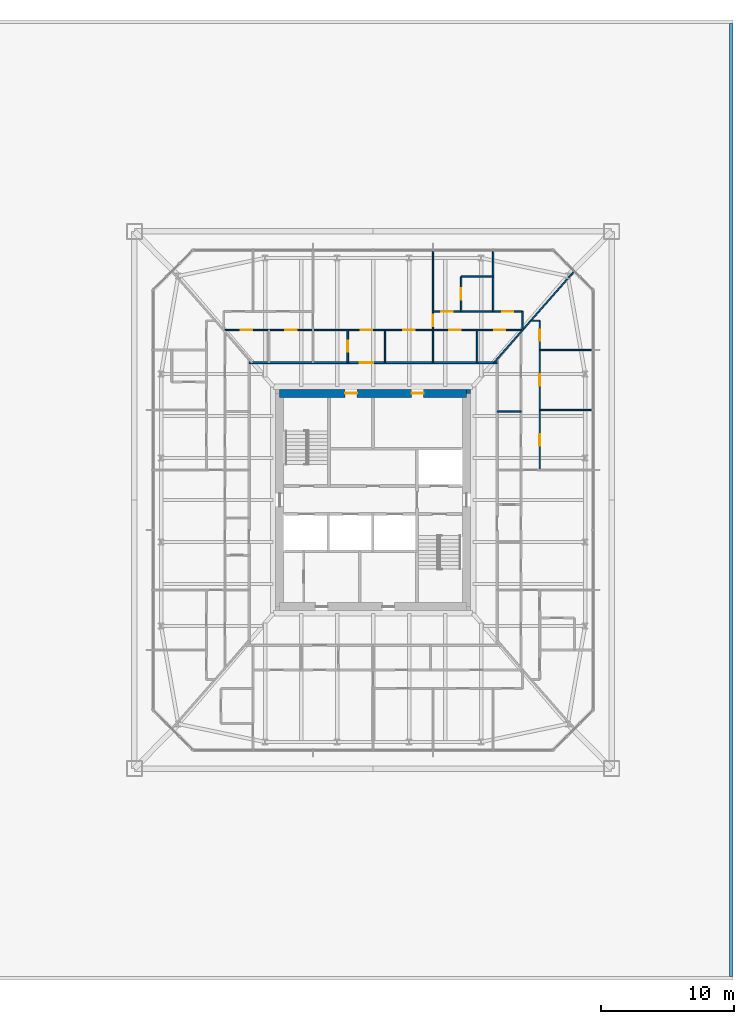
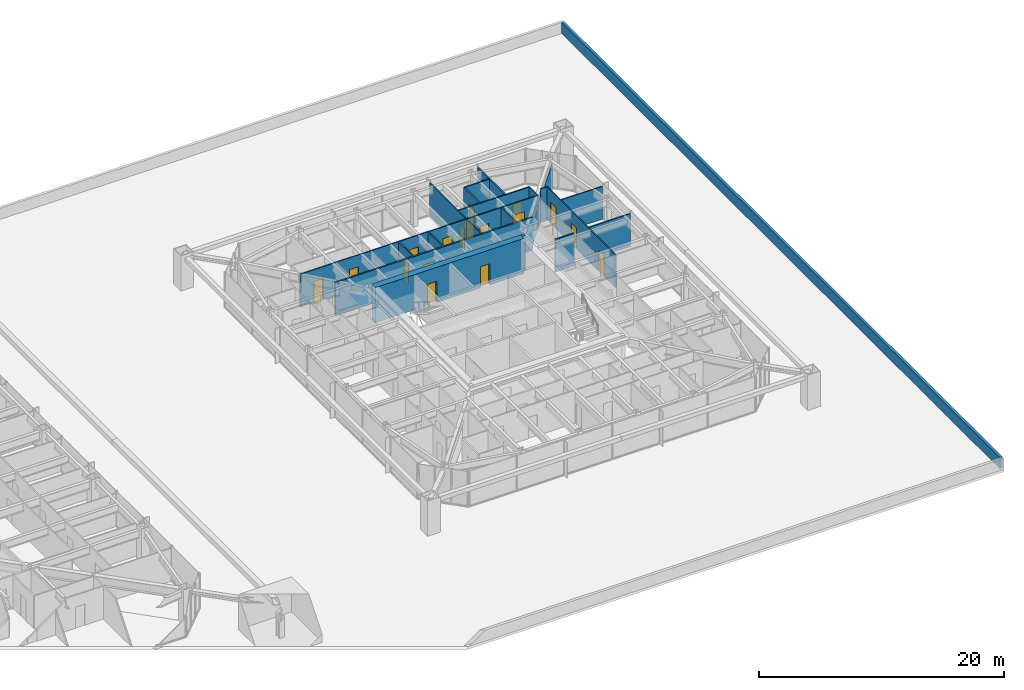
# One storey, part 25 of 31: 21 walls, 17 doors, 17 openings.
"""IFC4 building model written with IfcOpenShell, lengths in metres."""

from ifc_helpers import new_model, si_unit, direction, frame, frame_2d, origin, place, context, subcontext, project, spatial, rectangle, extrude, material, layer, layer_set, type_object, element, fill, save


model = new_model("IFC4")

# Units and contexts
model_context = context("Model", 3, precision=1e-05, world=origin(), true_north=direction((0.0, 1.0)))
body_context = subcontext(model_context, "Body", "Model", "MODEL_VIEW")
ifc_project = project(units=[si_unit("LENGTHUNIT", "METRE"), si_unit("AREAUNIT", "SQUARE_METRE"), si_unit("VOLUMEUNIT", "CUBIC_METRE"), si_unit("PLANEANGLEUNIT", "RADIAN"), si_unit("MASSUNIT", "GRAM", prefix="KILO")], contexts=[model_context])

# Site, building, storey
site_placement = place(None, origin())
site = spatial("IfcSite", under=ifc_project, at=site_placement, CompositionType="ELEMENT")
building_placement = place(site_placement, origin())
building = spatial("IfcBuilding", under=site, at=building_placement, Name="Iwan Alto Co-Living Towers", CompositionType="ELEMENT")
storey_placement = place(building_placement, frame((0.0, 0.0, 15.0)))
storey = spatial("IfcBuildingStorey", under=building, at=storey_placement, Name="L03", CompositionType="ELEMENT", Elevation=15.0)

# Wall, opening, door
ifc_material_1 = material(Name="Gypsum board")
ifc_layer_1 = layer(ifc_material_1, 0.02490234375, Name="Board", Category="Finish")
ifc_material_2 = material(Name="Steel ASTM A1003 ST33H cold-formed studs", Category="steel")
ifc_layer_2 = layer(ifc_material_2, 0.10009765625, Name="Studs", Category="Framing")
ifc_layer_3 = layer(ifc_material_1, 0.02490234375, Name="Board", Category="Finish")
ifc_layer_set_1 = layer_set([ifc_layer_1, ifc_layer_2, ifc_layer_3], Name="CORRIDOR WALL 150")
wall_type_1 = type_object("IfcWallType", Name="CORRIDOR WALL 150", PredefinedType="PARTITIONING", material=ifc_layer_set_1)
wall_1_placement = place(storey_placement, frame((53.699951171875, 10.300048828125, 0.0), z_axis=(0.0, 0.0, 1.0), x_axis=(1.0, 0.0, 0.0)))
wall_1 = element("IfcWall", 1, at=wall_1_placement, inside=storey, type_object=wall_type_1, Name="Partition L03", PredefinedType="PARTITIONING", context=body_context, shape_type="SweptSolid", body=[
    extrude(rectangle(XDim=18.60009765625, YDim=0.14990234375, at=frame_2d((9.300048828125, 0.0))), origin(), (0.0, 0.0, 1.0), 3.27001953125),
])
opening_1_placement = place(wall_1_placement, frame((8.300048828125, 0.0, 0.0)))
opening_1 = element("IfcOpeningElement", 2, at=opening_1_placement, cuts=wall_1, Name="Opening D3", PredefinedType="OPENING", context=body_context, shape_type="SweptSolid", body=[
    extrude(rectangle(XDim=1.0, YDim=2.10009765625, at=frame_2d((0.5, 1.050048828125))), frame((0.0, 0.0849609375, 0.0), z_axis=(0.0, -1.0, 0.0), x_axis=(1.0, 0.0, 0.0)), (0.0, 0.0, 1.0), 0.169921875),
])
ifc_material_3 = material(Name="Steel frame with timber leaf", Category="steel")
door_type_1 = type_object("IfcDoorType", Name="FLAT ENTRANCE DOOR FD30S 1000X2100", OperationType="SINGLE_SWING_LEFT", PredefinedType="DOOR", material=ifc_material_3)
door_1_placement = place(opening_1_placement, origin())
door_1 = element("IfcDoor", 3, at=door_1_placement, inside=storey, type_object=door_type_1, Name="Apartment foyer door L03", OperationType="SINGLE_SWING_LEFT", OverallHeight=2.10009765625, OverallWidth=1.0, PredefinedType="DOOR", context=body_context, shape_type="SweptSolid", body=[
    extrude(rectangle(XDim=1.0, YDim=2.10009765625, at=frame_2d((0.5, 1.050048828125))), frame((0.0, 0.02490234375, 0.0), z_axis=(0.0, -1.0, 0.0), x_axis=(1.0, 0.0, 0.0)), (0.0, 0.0, 1.0), 0.050048828125),
])
fill(opening_1, door_1)

# Walls
ifc_material_4 = material(Name="Fired clay brick masonry", Category="masonry")
ifc_layer_4 = layer(ifc_material_4, 0.25)
ifc_layer_set_2 = layer_set([ifc_layer_4], Name="PARAPET WALL 250")
wall_type_2 = type_object("IfcWallType", Name="PARAPET WALL 250", PredefinedType="PARAPET", material=ifc_layer_set_2)
wall_2_placement = place(storey_placement, frame((89.875, -35.75, 0.0), z_axis=(0.0, 0.0, 1.0), x_axis=(0.0, 1.0, 0.0)))
element("IfcWall", 4, at=wall_2_placement, inside=storey, type_object=wall_type_2, Name="Podium parapet E", PredefinedType="PARAPET", context=body_context, shape_type="SweptSolid", body=[
    extrude(rectangle(XDim=71.5, YDim=0.25, at=frame_2d((35.75, 0.0))), origin(), (0.0, 0.0, 1.0), 1.10009765625),
])
ifc_layer_5 = layer(ifc_material_1, 0.012451171875, Name="Board", Category="Finish")
ifc_layer_6 = layer(ifc_material_2, 0.074951171875, Name="Studs", Category="Framing")
ifc_layer_7 = layer(ifc_material_1, 0.012451171875, Name="Board", Category="Finish")
ifc_layer_set_3 = layer_set([ifc_layer_5, ifc_layer_6, ifc_layer_7], Name="PARTITION 100")
wall_type_3 = type_object("IfcWallType", Name="PARTITION 100", PredefinedType="PARTITIONING", material=ifc_layer_set_3)
for number, where, z_axis, x_axis, name in (
    (5, (75.5, 6.75, 0.0), (0.0, 0.0, 1.0), (1.0, 0.0, 0.0), "Partition L03"),
    (6, (75.5, 11.25, 0.0), (0.0, 0.0, 1.0), (1.0, 0.0, 0.0), "Partition L03"),
):
    element("IfcWall", number, at=place(storey_placement, frame(where, z_axis=z_axis, x_axis=x_axis)), inside=storey, type_object=wall_type_3, Name=name, PredefinedType="PARTITIONING", context=body_context, shape_type="SweptSolid", body=[
        extrude(rectangle(XDim=3.93994140625, YDim=0.10009765625, at=frame_2d((1.969970703125, 0.0))), origin(), (0.0, 0.0, 1.0), 3.27001953125),
    ])

# Wall, openings, doors
wall_3_placement = place(storey_placement, frame((51.800048828125, 12.75, 0.0), z_axis=(0.0, 0.0, 1.0), x_axis=(1.0, 0.0, 0.0)))
wall_3 = element("IfcWall", 7, at=wall_3_placement, inside=storey, type_object=wall_type_3, Name="Partition L03", PredefinedType="PARTITIONING", context=body_context, shape_type="SweptSolid", body=[
    extrude(rectangle(XDim=22.39990234375, YDim=0.10009765625, at=frame_2d((11.199951171875, 0.0))), origin(), (0.0, 0.0, 1.0), 3.27001953125),
])
opening_2_placement = place(wall_3_placement, frame((13.47509765625, 0.0, 0.0)))
opening_2 = element("IfcOpeningElement", 8, at=opening_2_placement, cuts=wall_3, Name="Opening D2", PredefinedType="OPENING", context=body_context, shape_type="SweptSolid", body=[
    extrude(rectangle(XDim=0.85009765625, YDim=2.10009765625, at=frame_2d((0.425048828125, 1.050048828125))), frame((0.0, 0.06005859375, 0.0), z_axis=(0.0, -1.0, 0.0), x_axis=(1.0, 0.0, 0.0)), (0.0, 0.0, 1.0), 0.1201171875),
])
opening_3_placement = place(wall_3_placement, frame((10.27490234375, 0.0, 0.0)))
opening_3 = element("IfcOpeningElement", 9, at=opening_3_placement, cuts=wall_3, Name="Opening D2", PredefinedType="OPENING", context=body_context, shape_type="SweptSolid", body=[
    extrude(rectangle(XDim=0.85009765625, YDim=2.10009765625, at=frame_2d((0.425048828125, 1.050048828125))), frame((0.0, 0.06005859375, 0.0), z_axis=(0.0, -1.0, 0.0), x_axis=(1.0, 0.0, 0.0)), (0.0, 0.0, 1.0), 0.1201171875),
])
opening_4_placement = place(wall_3_placement, frame((16.925048828125, 0.0, 0.0)))
opening_4 = element("IfcOpeningElement", 10, at=opening_4_placement, cuts=wall_3, Name="Opening D2", PredefinedType="OPENING", context=body_context, shape_type="SweptSolid", body=[
    extrude(rectangle(XDim=0.85009765625, YDim=2.10009765625, at=frame_2d((0.425048828125, 1.050048828125))), frame((0.0, 0.06005859375, 0.0), z_axis=(0.0, -1.0, 0.0), x_axis=(1.0, 0.0, 0.0)), (0.0, 0.0, 1.0), 0.1201171875),
])
opening_5_placement = place(wall_3_placement, frame((20.27490234375, 0.0, 0.0)))
opening_5 = element("IfcOpeningElement", 11, at=opening_5_placement, cuts=wall_3, Name="Opening D2", PredefinedType="OPENING", context=body_context, shape_type="SweptSolid", body=[
    extrude(rectangle(XDim=0.85009765625, YDim=2.10009765625, at=frame_2d((0.425048828125, 1.050048828125))), frame((0.0, 0.06005859375, 0.0), z_axis=(0.0, -1.0, 0.0), x_axis=(1.0, 0.0, 0.0)), (0.0, 0.0, 1.0), 0.1201171875),
])
opening_6_placement = place(wall_3_placement, frame((4.625, 0.0, 0.0)))
opening_6 = element("IfcOpeningElement", 12, at=opening_6_placement, cuts=wall_3, Name="Opening D2", PredefinedType="OPENING", context=body_context, shape_type="SweptSolid", body=[
    extrude(rectangle(XDim=0.85009765625, YDim=2.10009765625, at=frame_2d((0.425048828125, 1.050048828125))), frame((0.0, 0.06005859375, 0.0), z_axis=(0.0, -1.0, 0.0), x_axis=(1.0, 0.0, 0.0)), (0.0, 0.0, 1.0), 0.1201171875),
])
opening_7_placement = place(wall_3_placement, frame((1.27490234375, 0.0, 0.0)))
opening_7 = element("IfcOpeningElement", 13, at=opening_7_placement, cuts=wall_3, Name="Opening D2", PredefinedType="OPENING", context=body_context, shape_type="SweptSolid", body=[
    extrude(rectangle(XDim=0.85009765625, YDim=2.10009765625, at=frame_2d((0.425048828125, 1.050048828125))), frame((0.0, 0.06005859375, 0.0), z_axis=(0.0, -1.0, 0.0), x_axis=(1.0, 0.0, 0.0)), (0.0, 0.0, 1.0), 0.1201171875),
])
ifc_material_5 = material(Name="Timber leaf in steel frame", Category="steel")
door_type_2 = type_object("IfcDoorType", Name="ROOM DOOR 850X2100", OperationType="SINGLE_SWING_LEFT", PredefinedType="DOOR", material=ifc_material_5)
door_2_placement = place(opening_2_placement, origin())
door_2 = element("IfcDoor", 14, at=door_2_placement, inside=storey, type_object=door_type_2, Name="Kitchen door L03", OperationType="SINGLE_SWING_RIGHT", OverallHeight=2.10009765625, OverallWidth=0.85009765625, PredefinedType="DOOR", context=body_context, shape_type="SweptSolid", body=[
    extrude(rectangle(XDim=0.85009765625, YDim=2.10009765625, at=frame_2d((0.425048828125, 1.050048828125))), frame((0.0, 0.02490234375, 0.0), z_axis=(0.0, -1.0, 0.0), x_axis=(1.0, 0.0, 0.0)), (0.0, 0.0, 1.0), 0.050048828125),
])
fill(opening_2, door_2)
door_3_placement = place(opening_3_placement, origin())
door_3 = element("IfcDoor", 15, at=door_3_placement, inside=storey, type_object=door_type_2, Name="Apartment foyer door L03", OperationType="SINGLE_SWING_LEFT", OverallHeight=2.10009765625, OverallWidth=0.85009765625, PredefinedType="DOOR", context=body_context, shape_type="SweptSolid", body=[
    extrude(rectangle(XDim=0.85009765625, YDim=2.10009765625, at=frame_2d((0.425048828125, 1.050048828125))), frame((0.0, 0.02490234375, 0.0), z_axis=(0.0, -1.0, 0.0), x_axis=(1.0, 0.0, 0.0)), (0.0, 0.0, 1.0), 0.050048828125),
])
fill(opening_3, door_3)
door_4_placement = place(opening_4_placement, frame((0.85009765625, 0.0, 0.0), z_axis=(0.0, 0.0, 1.0), x_axis=(-1.0, 0.0, 0.0)))
door_4 = element("IfcDoor", 16, at=door_4_placement, inside=storey, type_object=door_type_2, Name="Utility room door L03", OperationType="SINGLE_SWING_RIGHT", OverallHeight=2.10009765625, OverallWidth=0.85009765625, PredefinedType="DOOR", context=body_context, shape_type="SweptSolid", body=[
    extrude(rectangle(XDim=0.85009765625, YDim=2.10009765625, at=frame_2d((0.425048828125, 1.050048828125))), frame((0.0, 0.02490234375, 0.0), z_axis=(0.0, -1.0, 0.0), x_axis=(1.0, 0.0, 0.0)), (0.0, 0.0, 1.0), 0.050048828125),
])
fill(opening_4, door_4)
door_5_placement = place(opening_5_placement, frame((0.85009765625, 0.0, 0.0), z_axis=(0.0, 0.0, 1.0), x_axis=(-1.0, 0.0, 0.0)))
door_5 = element("IfcDoor", 17, at=door_5_placement, inside=storey, type_object=door_type_2, Name="Store room door L03", OperationType="SINGLE_SWING_LEFT", OverallHeight=2.10009765625, OverallWidth=0.85009765625, PredefinedType="DOOR", context=body_context, shape_type="SweptSolid", body=[
    extrude(rectangle(XDim=0.85009765625, YDim=2.10009765625, at=frame_2d((0.425048828125, 1.050048828125))), frame((0.0, 0.02490234375, 0.0), z_axis=(0.0, -1.0, 0.0), x_axis=(1.0, 0.0, 0.0)), (0.0, 0.0, 1.0), 0.050048828125),
])
fill(opening_5, door_5)
door_6_placement = place(opening_6_placement, frame((0.85009765625, 0.0, 0.0), z_axis=(0.0, 0.0, 1.0), x_axis=(-1.0, 0.0, 0.0)))
door_6 = element("IfcDoor", 18, at=door_6_placement, inside=storey, type_object=door_type_2, Name="Utility room door L03", OperationType="SINGLE_SWING_RIGHT", OverallHeight=2.10009765625, OverallWidth=0.85009765625, PredefinedType="DOOR", context=body_context, shape_type="SweptSolid", body=[
    extrude(rectangle(XDim=0.85009765625, YDim=2.10009765625, at=frame_2d((0.425048828125, 1.050048828125))), frame((0.0, 0.02490234375, 0.0), z_axis=(0.0, -1.0, 0.0), x_axis=(1.0, 0.0, 0.0)), (0.0, 0.0, 1.0), 0.050048828125),
])
fill(opening_6, door_6)
door_7_placement = place(opening_7_placement, frame((0.85009765625, 0.0, 0.0), z_axis=(0.0, 0.0, 1.0), x_axis=(-1.0, 0.0, 0.0)))
door_7 = element("IfcDoor", 19, at=door_7_placement, inside=storey, type_object=door_type_2, Name="Store room door L03", OperationType="SINGLE_SWING_RIGHT", OverallHeight=2.10009765625, OverallWidth=0.85009765625, PredefinedType="DOOR", context=body_context, shape_type="SweptSolid", body=[
    extrude(rectangle(XDim=0.85009765625, YDim=2.10009765625, at=frame_2d((0.425048828125, 1.050048828125))), frame((0.0, 0.02490234375, 0.0), z_axis=(0.0, -1.0, 0.0), x_axis=(1.0, 0.0, 0.0)), (0.0, 0.0, 1.0), 0.050048828125),
])
fill(opening_7, door_7)

# Walls
wall_4_placement = place(storey_placement, frame((74.8359375, 13.449951171875, 0.0), z_axis=(0.0, 0.0, 1.0), x_axis=(1.0, 0.0, 0.0)))
element("IfcWall", 20, at=wall_4_placement, inside=storey, type_object=wall_type_3, Name="Partition L03", PredefinedType="PARTITIONING", context=body_context, shape_type="SweptSolid", body=[
    extrude(rectangle(XDim=0.6640625, YDim=0.10009765625, at=frame_2d((0.33203125, 0.0))), origin(), (0.0, 0.0, 1.0), 3.27001953125),
])
wall_5_placement = place(storey_placement, frame((72.06396484375, 10.300048828125, 0.0), z_axis=(0.0, 0.0, 1.0), x_axis=(0.660667046586, 0.75067906162, 0.0)))
element("IfcWall", 21, at=wall_5_placement, inside=storey, type_object=wall_type_3, Name="Partition L03", PredefinedType="PARTITIONING", context=body_context, shape_type="SweptSolid", body=[
    extrude(rectangle(XDim=3.233154296875, YDim=0.10009765625, at=frame_2d((1.61669921875, 0.0))), origin(), (0.0, 0.0, 1.0), 2.42919921875),
])
wall_6_placement = place(storey_placement, frame((74.199951171875, 12.72705078125, 0.0), z_axis=(0.0, 0.0, 1.0), x_axis=(0.660698595885, 0.750651294141, 0.0)))
element("IfcWall", 22, at=wall_6_placement, inside=storey, type_object=wall_type_3, Name="Partition L03", PredefinedType="PARTITIONING", context=body_context, shape_type="SweptSolid", body=[
    extrude(rectangle(XDim=5.838134765625, YDim=0.10009765625, at=frame_2d((2.9189453125, 0.0))), origin(), (0.0, 0.0, 1.0), 2.42919921875),
])

# Wall, openings, doors
wall_7_placement = place(storey_placement, frame((75.5, 2.25, 0.0), z_axis=(0.0, 0.0, 1.0), x_axis=(0.0, 1.0, 0.0)))
wall_7 = element("IfcWall", 23, at=wall_7_placement, inside=storey, type_object=wall_type_3, Name="Partition L03", PredefinedType="PARTITIONING", context=body_context, shape_type="SweptSolid", body=[
    extrude(rectangle(XDim=11.199951171875, YDim=0.10009765625, at=frame_2d((5.60009765625, 0.0))), origin(), (0.0, 0.0, 1.0), 3.27001953125),
])
opening_8_placement = place(wall_7_placement, frame((1.824951171875, 0.0, 0.0)))
opening_8 = element("IfcOpeningElement", 24, at=opening_8_placement, cuts=wall_7, Name="Opening D2", PredefinedType="OPENING", context=body_context, shape_type="SweptSolid", body=[
    extrude(rectangle(XDim=0.85009765625, YDim=2.10009765625, at=frame_2d((0.425048828125, 1.050048828125))), frame((0.0, 0.06005859375, 0.0), z_axis=(0.0, -1.0, 0.0), x_axis=(1.0, 0.0, 0.0)), (0.0, 0.0, 1.0), 0.1201171875),
])
opening_9_placement = place(wall_7_placement, frame((6.324951171875, 0.0, 0.0)))
opening_9 = element("IfcOpeningElement", 25, at=opening_9_placement, cuts=wall_7, Name="Opening D2", PredefinedType="OPENING", context=body_context, shape_type="SweptSolid", body=[
    extrude(rectangle(XDim=0.85009765625, YDim=2.10009765625, at=frame_2d((0.425048828125, 1.050048828125))), frame((0.0, 0.06005859375, 0.0), z_axis=(0.0, -1.0, 0.0), x_axis=(1.0, 0.0, 0.0)), (0.0, 0.0, 1.0), 0.1201171875),
])
opening_10_placement = place(wall_7_placement, frame((9.675048828125, 0.0, 0.0)))
opening_10 = element("IfcOpeningElement", 26, at=opening_10_placement, cuts=wall_7, Name="Opening D2", PredefinedType="OPENING", context=body_context, shape_type="SweptSolid", body=[
    extrude(rectangle(XDim=0.85009765625, YDim=2.10009765625, at=frame_2d((0.425048828125, 1.050048828125))), frame((0.0, 0.06005859375, 0.0), z_axis=(0.0, -1.0, 0.0), x_axis=(1.0, 0.0, 0.0)), (0.0, 0.0, 1.0), 0.1201171875),
])
door_8_placement = place(opening_8_placement, frame((0.85009765625, 0.0, 0.0), z_axis=(0.0, 0.0, 1.0), x_axis=(-1.0, 0.0, 0.0)))
door_8 = element("IfcDoor", 27, at=door_8_placement, inside=storey, type_object=door_type_2, Name="Study door L03", OperationType="SINGLE_SWING_RIGHT", OverallHeight=2.10009765625, OverallWidth=0.85009765625, PredefinedType="DOOR", context=body_context, shape_type="SweptSolid", body=[
    extrude(rectangle(XDim=0.85009765625, YDim=2.10009765625, at=frame_2d((0.425048828125, 1.050048828125))), frame((0.0, 0.02490234375, 0.0), z_axis=(0.0, -1.0, 0.0), x_axis=(1.0, 0.0, 0.0)), (0.0, 0.0, 1.0), 0.050048828125),
])
fill(opening_8, door_8)
door_9_placement = place(opening_9_placement, frame((0.85009765625, 0.0, 0.0), z_axis=(0.0, 0.0, 1.0), x_axis=(-1.0, 0.0, 0.0)))
door_9 = element("IfcDoor", 28, at=door_9_placement, inside=storey, type_object=door_type_2, Name="Bedroom door L03", OperationType="SINGLE_SWING_RIGHT", OverallHeight=2.10009765625, OverallWidth=0.85009765625, PredefinedType="DOOR", context=body_context, shape_type="SweptSolid", body=[
    extrude(rectangle(XDim=0.85009765625, YDim=2.10009765625, at=frame_2d((0.425048828125, 1.050048828125))), frame((0.0, 0.02490234375, 0.0), z_axis=(0.0, -1.0, 0.0), x_axis=(1.0, 0.0, 0.0)), (0.0, 0.0, 1.0), 0.050048828125),
])
fill(opening_9, door_9)
door_10_placement = place(opening_10_placement, frame((0.85009765625, 0.0, 0.0), z_axis=(0.0, 0.0, 1.0), x_axis=(-1.0, 0.0, 0.0)))
door_10 = element("IfcDoor", 29, at=door_10_placement, inside=storey, type_object=door_type_2, Name="Bedroom door L03", OperationType="SINGLE_SWING_RIGHT", OverallHeight=2.10009765625, OverallWidth=0.85009765625, PredefinedType="DOOR", context=body_context, shape_type="SweptSolid", body=[
    extrude(rectangle(XDim=0.85009765625, YDim=2.10009765625, at=frame_2d((0.425048828125, 1.050048828125))), frame((0.0, 0.02490234375, 0.0), z_axis=(0.0, -1.0, 0.0), x_axis=(1.0, 0.0, 0.0)), (0.0, 0.0, 1.0), 0.050048828125),
])
fill(opening_10, door_10)

# Wall
wall_8_placement = place(storey_placement, frame((74.199951171875, 12.72705078125, 0.0), z_axis=(0.0, 0.0, 1.0), x_axis=(0.0, 1.0, 0.0)))
element("IfcWall", 30, at=wall_8_placement, inside=storey, type_object=wall_type_3, Name="Partition L03", PredefinedType="PARTITIONING", context=body_context, shape_type="SweptSolid", body=[
    extrude(rectangle(XDim=1.4228515625, YDim=0.10009765625, at=frame_2d((0.71142578125, 0.0))), origin(), (0.0, 0.0, 1.0), 3.27001953125),
])

# Wall, opening, door
wall_9_placement = place(storey_placement, frame((67.5, 10.300048828125, 0.0), z_axis=(0.0, 0.0, 1.0), x_axis=(0.0, 1.0, 0.0)))
wall_9 = element("IfcWall", 31, at=wall_9_placement, inside=storey, type_object=wall_type_3, Name="Partition L03", PredefinedType="PARTITIONING", context=body_context, shape_type="SweptSolid", body=[
    extrude(rectangle(XDim=8.389892578125, YDim=0.10009765625, at=frame_2d((4.19482421875, 0.0))), origin(), (0.0, 0.0, 1.0), 3.27001953125),
])
opening_11_placement = place(wall_9_placement, frame((2.72509765625, 0.0, 0.0)))
opening_11 = element("IfcOpeningElement", 32, at=opening_11_placement, cuts=wall_9, Name="Opening D2", PredefinedType="OPENING", context=body_context, shape_type="SweptSolid", body=[
    extrude(rectangle(XDim=0.85009765625, YDim=2.10009765625, at=frame_2d((0.425048828125, 1.050048828125))), frame((0.0, 0.06005859375, 0.0), z_axis=(0.0, -1.0, 0.0), x_axis=(1.0, 0.0, 0.0)), (0.0, 0.0, 1.0), 0.1201171875),
])
door_11_placement = place(opening_11_placement, origin())
door_11 = element("IfcDoor", 33, at=door_11_placement, inside=storey, type_object=door_type_2, Name="Apartment hall door L03", OperationType="SINGLE_SWING_LEFT", OverallHeight=2.10009765625, OverallWidth=0.85009765625, PredefinedType="DOOR", context=body_context, shape_type="SweptSolid", body=[
    extrude(rectangle(XDim=0.85009765625, YDim=2.10009765625, at=frame_2d((0.425048828125, 1.050048828125))), frame((0.0, 0.02490234375, 0.0), z_axis=(0.0, -1.0, 0.0), x_axis=(1.0, 0.0, 0.0)), (0.0, 0.0, 1.0), 0.050048828125),
])
fill(opening_11, door_11)

# Walls
wall_10_placement = place(storey_placement, frame((63.89990234375, 10.300048828125, 0.0), z_axis=(0.0, 0.0, 1.0), x_axis=(0.0, 1.0, 0.0)))
element("IfcWall", 34, at=wall_10_placement, inside=storey, type_object=wall_type_3, Name="Partition L03", PredefinedType="PARTITIONING", context=body_context, shape_type="SweptSolid", body=[
    extrude(rectangle(XDim=2.449951171875, YDim=0.10009765625, at=frame_2d((1.22509765625, 0.0))), origin(), (0.0, 0.0, 1.0), 3.27001953125),
])
ifc_material_6 = material(Name="Concrete f'c 70 MPa", Category="concrete")
ifc_layer_8 = layer(ifc_material_6, 0.300048828125)
ifc_layer_set_4 = layer_set([ifc_layer_8], Name="T2 CORE CORNER FILL 300")
wall_type_4 = type_object("IfcWallType", Name="T2 CORE CORNER FILL 300", PredefinedType="SOLIDWALL", material=ifc_layer_set_4)
wall_11_placement = place(storey_placement, frame((70.0, 8.14990234375, 0.0), z_axis=(0.0, 0.0, 1.0), x_axis=(1.0, 0.0, 0.0)))
element("IfcWall", 35, at=wall_11_placement, inside=storey, type_object=wall_type_4, Name="T2 core corner NE L03", PredefinedType="SOLIDWALL", context=body_context, shape_type="SweptSolid", body=[
    extrude(rectangle(XDim=0.300048828125, YDim=0.300048828125, at=frame_2d((0.14990234375, 0.0))), origin(), (0.0, 0.0, 1.0), 3.5),
])

# Wall, openings, doors
ifc_material_7 = material(Name="Concrete f'c 70 MPa", Category="concrete")
ifc_layer_9 = layer(ifc_material_7, 0.60009765625)
ifc_layer_set_5 = layer_set([ifc_layer_9], Name="T2 CORE WALL 600")
wall_type_5 = type_object("IfcWallType", Name="T2 CORE WALL 600", PredefinedType="SHEAR", material=ifc_layer_set_5)
wall_12_placement = place(storey_placement, frame((70.0, 8.0, 0.0), z_axis=(0.0, 0.0, 1.0), x_axis=(-1.0, 0.0, 0.0)))
wall_12 = element("IfcWall", 36, at=wall_12_placement, inside=storey, type_object=wall_type_5, Name="T2 core wall N L03", PredefinedType="SHEAR", context=body_context, shape_type="SweptSolid", body=[
    extrude(rectangle(XDim=14.0, YDim=0.60009765625, at=frame_2d((7.0, 0.0))), origin(), (0.0, 0.0, 1.0), 3.5),
])
opening_12_placement = place(wall_12_placement, frame((8.199951171875, 0.0, 0.0)))
opening_12 = element("IfcOpeningElement", 37, at=opening_12_placement, cuts=wall_12, Name="Opening D8", PredefinedType="OPENING", context=body_context, shape_type="SweptSolid", body=[
    extrude(rectangle(XDim=0.89990234375, YDim=2.10009765625, at=frame_2d((0.449951171875, 1.050048828125))), frame((0.0, 0.31005859375, 0.0), z_axis=(0.0, -1.0, 0.0), x_axis=(1.0, 0.0, 0.0)), (0.0, 0.0, 1.0), 0.6201171875),
])
opening_13_placement = place(wall_12_placement, frame((3.199951171875, 0.0, 0.0)))
opening_13 = element("IfcOpeningElement", 38, at=opening_13_placement, cuts=wall_12, Name="Opening D8", PredefinedType="OPENING", context=body_context, shape_type="SweptSolid", body=[
    extrude(rectangle(XDim=0.89990234375, YDim=2.10009765625, at=frame_2d((0.449951171875, 1.050048828125))), frame((0.0, 0.31005859375, 0.0), z_axis=(0.0, -1.0, 0.0), x_axis=(1.0, 0.0, 0.0)), (0.0, 0.0, 1.0), 0.6201171875),
])
ifc_material_8 = material(Name="Steel frame with timber leaf", Category="steel")
door_type_3 = type_object("IfcDoorType", Name="RISER DOOR FD120 900X2100", OperationType="SINGLE_SWING_LEFT", PredefinedType="DOOR", material=ifc_material_8)
door_12_placement = place(opening_12_placement, origin())
door_12 = element("IfcDoor", 39, at=door_12_placement, inside=storey, type_object=door_type_3, Name="Electrical riser core door L03", OperationType="SINGLE_SWING_RIGHT", OverallHeight=2.10009765625, OverallWidth=0.89990234375, PredefinedType="DOOR", context=body_context, shape_type="SweptSolid", body=[
    extrude(rectangle(XDim=0.89990234375, YDim=2.10009765625, at=frame_2d((0.449951171875, 1.050048828125))), frame((0.0, 0.02490234375, 0.0), z_axis=(0.0, -1.0, 0.0), x_axis=(1.0, 0.0, 0.0)), (0.0, 0.0, 1.0), 0.050048828125),
])
fill(opening_12, door_12)
door_13_placement = place(opening_13_placement, origin())
door_13 = element("IfcDoor", 40, at=door_13_placement, inside=storey, type_object=door_type_3, Name="Water and drainage riser core door L03", OperationType="SINGLE_SWING_RIGHT", OverallHeight=2.10009765625, OverallWidth=0.89990234375, PredefinedType="DOOR", context=body_context, shape_type="SweptSolid", body=[
    extrude(rectangle(XDim=0.89990234375, YDim=2.10009765625, at=frame_2d((0.449951171875, 1.050048828125))), frame((0.0, 0.02490234375, 0.0), z_axis=(0.0, -1.0, 0.0), x_axis=(1.0, 0.0, 0.0)), (0.0, 0.0, 1.0), 0.050048828125),
])
fill(opening_13, door_13)

# Wall
ifc_material_9 = material(Name="Cement board")
ifc_layer_10 = layer(ifc_material_9, 0.012451171875, Name="Board", Category="Finish")
ifc_layer_11 = layer(ifc_material_2, 0.094970703125, Name="Studs", Category="Framing")
ifc_layer_12 = layer(ifc_material_9, 0.012451171875, Name="Board", Category="Finish")
ifc_layer_set_6 = layer_set([ifc_layer_10, ifc_layer_11, ifc_layer_12], Name="WET AREA PARTITION 120")
wall_type_6 = type_object("IfcWallType", Name="WET AREA PARTITION 120", PredefinedType="PARTITIONING", material=ifc_layer_set_6)
wall_13_placement = place(storey_placement, frame((72.300048828125, 6.64990234375, 0.0), z_axis=(0.0, 0.0, 1.0), x_axis=(1.0, 0.0, 0.0)))
element("IfcWall", 41, at=wall_13_placement, inside=storey, type_object=wall_type_6, Name="Partition L03", PredefinedType="PARTITIONING", context=body_context, shape_type="SweptSolid", body=[
    extrude(rectangle(XDim=1.800048828125, YDim=0.1201171875, at=frame_2d((0.89990234375, 0.0))), origin(), (0.0, 0.0, 1.0), 3.27001953125),
])

# Wall, openings, doors
wall_14_placement = place(storey_placement, frame((67.5, 14.14990234375, 0.0), z_axis=(0.0, 0.0, 1.0), x_axis=(1.0, 0.0, 0.0)))
wall_14 = element("IfcWall", 42, at=wall_14_placement, inside=storey, type_object=wall_type_6, Name="Partition L03", PredefinedType="PARTITIONING", context=body_context, shape_type="SweptSolid", body=[
    extrude(rectangle(XDim=6.699951171875, YDim=0.1201171875, at=frame_2d((3.35009765625, 0.0))), origin(), (0.0, 0.0, 1.0), 3.27001953125),
])
opening_14_placement = place(wall_14_placement, frame((0.625, 0.0, 0.0)))
opening_14 = element("IfcOpeningElement", 43, at=opening_14_placement, cuts=wall_14, Name="Opening D2", PredefinedType="OPENING", context=body_context, shape_type="SweptSolid", body=[
    extrude(rectangle(XDim=0.85009765625, YDim=2.10009765625, at=frame_2d((0.425048828125, 1.050048828125))), frame((0.0, 0.070068359375, 0.0), z_axis=(0.0, -1.0, 0.0), x_axis=(1.0, 0.0, 0.0)), (0.0, 0.0, 1.0), 0.14013671875),
])
opening_15_placement = place(wall_14_placement, frame((5.175048828125, 0.0, 0.0)))
opening_15 = element("IfcOpeningElement", 44, at=opening_15_placement, cuts=wall_14, Name="Opening D2", PredefinedType="OPENING", context=body_context, shape_type="SweptSolid", body=[
    extrude(rectangle(XDim=0.85009765625, YDim=2.10009765625, at=frame_2d((0.425048828125, 1.050048828125))), frame((0.0, 0.070068359375, 0.0), z_axis=(0.0, -1.0, 0.0), x_axis=(1.0, 0.0, 0.0)), (0.0, 0.0, 1.0), 0.14013671875),
])
door_14_placement = place(opening_14_placement, origin())
door_14 = element("IfcDoor", 45, at=door_14_placement, inside=storey, type_object=door_type_2, Name="Bedroom door L03", OperationType="SINGLE_SWING_LEFT", OverallHeight=2.10009765625, OverallWidth=0.85009765625, PredefinedType="DOOR", context=body_context, shape_type="SweptSolid", body=[
    extrude(rectangle(XDim=0.85009765625, YDim=2.10009765625, at=frame_2d((0.425048828125, 1.050048828125))), frame((0.0, 0.02490234375, 0.0), z_axis=(0.0, -1.0, 0.0), x_axis=(1.0, 0.0, 0.0)), (0.0, 0.0, 1.0), 0.050048828125),
])
fill(opening_14, door_14)
door_15_placement = place(opening_15_placement, origin())
door_15 = element("IfcDoor", 46, at=door_15_placement, inside=storey, type_object=door_type_2, Name="Bedroom door L03", OperationType="SINGLE_SWING_LEFT", OverallHeight=2.10009765625, OverallWidth=0.85009765625, PredefinedType="DOOR", context=body_context, shape_type="SweptSolid", body=[
    extrude(rectangle(XDim=0.85009765625, YDim=2.10009765625, at=frame_2d((0.425048828125, 1.050048828125))), frame((0.0, 0.02490234375, 0.0), z_axis=(0.0, -1.0, 0.0), x_axis=(1.0, 0.0, 0.0)), (0.0, 0.0, 1.0), 0.050048828125),
])
fill(opening_15, door_15)

# Walls
wall_15_placement = place(storey_placement, frame((69.60009765625, 16.75, 0.0), z_axis=(0.0, 0.0, 1.0), x_axis=(1.0, 0.0, 0.0)))
element("IfcWall", 47, at=wall_15_placement, inside=storey, type_object=wall_type_6, Name="Partition L03", PredefinedType="PARTITIONING", context=body_context, shape_type="SweptSolid", body=[
    extrude(rectangle(XDim=2.39990234375, YDim=0.1201171875, at=frame_2d((1.199951171875, 0.0))), origin(), (0.0, 0.0, 1.0), 3.27001953125),
])
wall_16_placement = place(storey_placement, frame((72.0, 14.14990234375, 0.0), z_axis=(0.0, 0.0, 1.0), x_axis=(0.0, 1.0, 0.0)))
element("IfcWall", 48, at=wall_16_placement, inside=storey, type_object=wall_type_6, Name="Partition L03", PredefinedType="PARTITIONING", context=body_context, shape_type="SweptSolid", body=[
    extrude(rectangle(XDim=4.5400390625, YDim=0.1201171875, at=frame_2d((2.27001953125, 0.0))), origin(), (0.0, 0.0, 1.0), 3.27001953125),
])
wall_17_placement = place(storey_placement, frame((70.800048828125, 10.300048828125, 0.0), z_axis=(0.0, 0.0, 1.0), x_axis=(0.0, 1.0, 0.0)))
element("IfcWall", 49, at=wall_17_placement, inside=storey, type_object=wall_type_6, Name="Partition L03", PredefinedType="PARTITIONING", context=body_context, shape_type="SweptSolid", body=[
    extrude(rectangle(XDim=2.449951171875, YDim=0.1201171875, at=frame_2d((1.22509765625, 0.0))), origin(), (0.0, 0.0, 1.0), 3.27001953125),
])

# Wall, opening, door
wall_18_placement = place(storey_placement, frame((69.60009765625, 14.14990234375, 0.0), z_axis=(0.0, 0.0, 1.0), x_axis=(0.0, 1.0, 0.0)))
wall_18 = element("IfcWall", 50, at=wall_18_placement, inside=storey, type_object=wall_type_6, Name="Partition L03", PredefinedType="PARTITIONING", context=body_context, shape_type="SweptSolid", body=[
    extrude(rectangle(XDim=2.60009765625, YDim=0.1201171875, at=frame_2d((1.300048828125, 0.0))), origin(), (0.0, 0.0, 1.0), 3.27001953125),
])
opening_16_placement = place(wall_18_placement, frame((0.875, 0.0, 0.0)))
opening_16 = element("IfcOpeningElement", 51, at=opening_16_placement, cuts=wall_18, Name="Opening D2", PredefinedType="OPENING", context=body_context, shape_type="SweptSolid", body=[
    extrude(rectangle(XDim=0.85009765625, YDim=2.10009765625, at=frame_2d((0.425048828125, 1.050048828125))), frame((0.0, 0.070068359375, 0.0), z_axis=(0.0, -1.0, 0.0), x_axis=(1.0, 0.0, 0.0)), (0.0, 0.0, 1.0), 0.14013671875),
])
door_16_placement = place(opening_16_placement, origin())
door_16 = element("IfcDoor", 52, at=door_16_placement, inside=storey, type_object=door_type_2, Name="En-suite shower room door L03", OperationType="SINGLE_SWING_LEFT", OverallHeight=2.10009765625, OverallWidth=0.85009765625, PredefinedType="DOOR", context=body_context, shape_type="SweptSolid", body=[
    extrude(rectangle(XDim=0.85009765625, YDim=2.10009765625, at=frame_2d((0.425048828125, 1.050048828125))), frame((0.0, 0.02490234375, 0.0), z_axis=(0.0, -1.0, 0.0), x_axis=(1.0, 0.0, 0.0)), (0.0, 0.0, 1.0), 0.050048828125),
])
fill(opening_16, door_16)

wall_19_placement = place(storey_placement, frame((61.10009765625, 10.300048828125, 0.0), z_axis=(0.0, 0.0, 1.0), x_axis=(0.0, 1.0, 0.0)))
wall_19 = element("IfcWall", 53, at=wall_19_placement, inside=storey, type_object=wall_type_6, Name="Partition L03", PredefinedType="PARTITIONING", context=body_context, shape_type="SweptSolid", body=[
    extrude(rectangle(XDim=2.449951171875, YDim=0.1201171875, at=frame_2d((1.22509765625, 0.0))), origin(), (0.0, 0.0, 1.0), 3.27001953125),
])
opening_17_placement = place(wall_19_placement, frame((0.800048828125, 0.0, 0.0)))
opening_17 = element("IfcOpeningElement", 54, at=opening_17_placement, cuts=wall_19, Name="Opening D2", PredefinedType="OPENING", context=body_context, shape_type="SweptSolid", body=[
    extrude(rectangle(XDim=0.85009765625, YDim=2.10009765625, at=frame_2d((0.425048828125, 1.050048828125))), frame((0.0, 0.070068359375, 0.0), z_axis=(0.0, -1.0, 0.0), x_axis=(1.0, 0.0, 0.0)), (0.0, 0.0, 1.0), 0.14013671875),
])
door_17_placement = place(opening_17_placement, origin())
door_17 = element("IfcDoor", 55, at=door_17_placement, inside=storey, type_object=door_type_2, Name="Bathroom door L03", OperationType="SINGLE_SWING_LEFT", OverallHeight=2.10009765625, OverallWidth=0.85009765625, PredefinedType="DOOR", context=body_context, shape_type="SweptSolid", body=[
    extrude(rectangle(XDim=0.85009765625, YDim=2.10009765625, at=frame_2d((0.425048828125, 1.050048828125))), frame((0.0, 0.02490234375, 0.0), z_axis=(0.0, -1.0, 0.0), x_axis=(1.0, 0.0, 0.0)), (0.0, 0.0, 1.0), 0.050048828125),
])
fill(opening_17, door_17)

save(model, "model.ifc")
